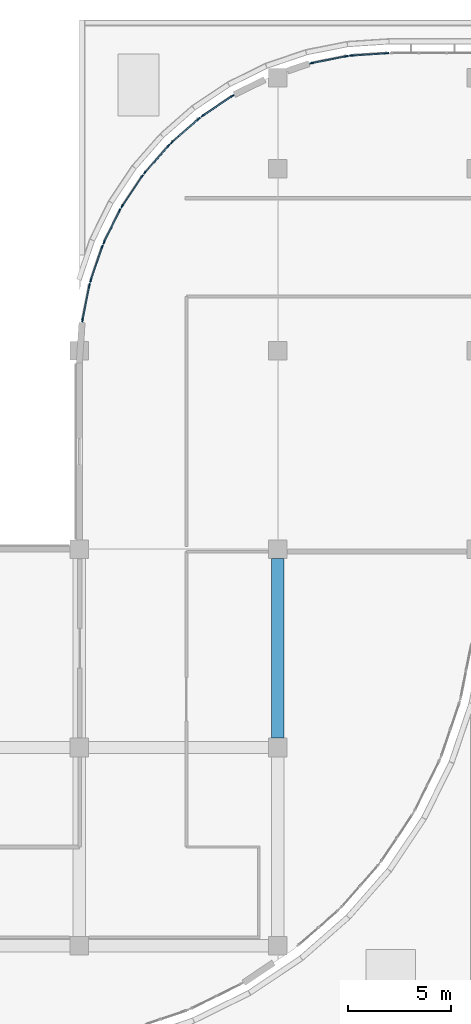
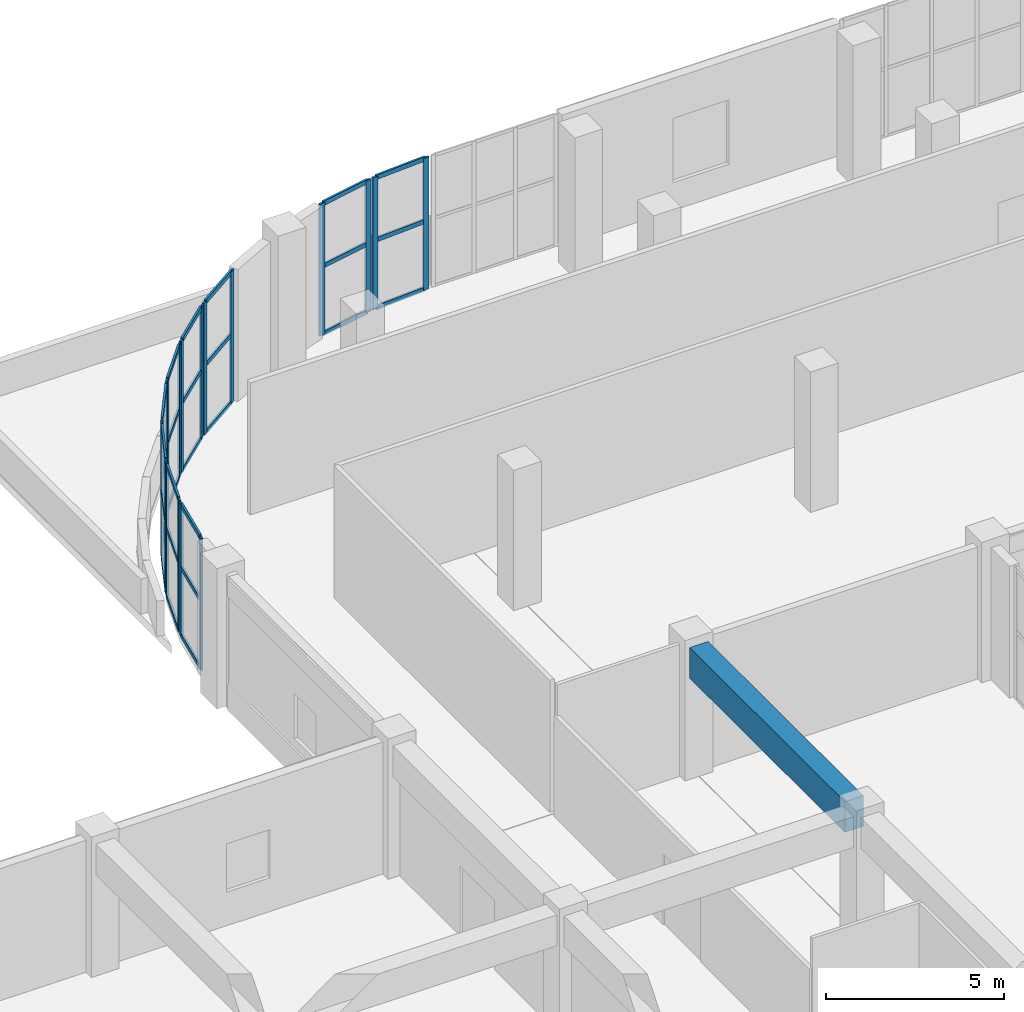
# One storey, part 27 of 96: 45 members, 1 beam, 9 elements without a shape of their own.
"""IFC4 building model written with IfcOpenShell, lengths in metres."""

from ifc_helpers import new_model, si_unit, direction, frame, origin, origin_2d, place, context, subcontext, project, spatial, rectangle, extrude, material, layer, layer_set, material_profile, profile_set, type_object, element, aggregate, save


model = new_model("IFC4")

# Units and contexts
model_context = context("Model", 3, precision=1e-05, world=origin(), true_north=direction((0.0, 1.0)))
body_context = subcontext(model_context, "Body", "Model", "MODEL_VIEW")
ifc_project = project(units=[si_unit("LENGTHUNIT", "METRE"), si_unit("AREAUNIT", "SQUARE_METRE"), si_unit("VOLUMEUNIT", "CUBIC_METRE"), si_unit("PLANEANGLEUNIT", "RADIAN"), si_unit("MASSUNIT", "GRAM", prefix="KILO")], contexts=[model_context])

# Site, building, storey
site_placement = place(None, origin())
site = spatial("IfcSite", under=ifc_project, at=site_placement, CompositionType="ELEMENT")
building_placement = place(site_placement, origin())
building = spatial("IfcBuilding", under=site, at=building_placement, Name="Cendralis Terraced Arcade", CompositionType="ELEMENT")
storey_placement = place(building_placement, frame((0.0, 0.0, 10.199951171875)))
storey = spatial("IfcBuildingStorey", under=building, at=storey_placement, Name="L02", CompositionType="ELEMENT", Elevation=10.199951171875)

# Beam
ifc_material_1 = material(Name="Concrete f'c 35 MPa", Category="concrete")
ifc_material_profile_1 = material_profile(ifc_material_1, rectangle(XDim=0.60009765625, YDim=1.050048828125, at=origin_2d()), Name="RC-BM-600x1050", Category="LoadBearing")
ifc_profile_set_1 = profile_set([ifc_material_profile_1], Name="Concrete f'c 35 MPa")
beam_type = type_object("IfcBeamType", Name="BM-600x1050", PredefinedType="JOIST", material=ifc_profile_set_1)
beam_placement = place(storey_placement, frame((57.60009765625, 79.64990234375, 3.989990234375), z_axis=(0.0, 1.0, 0.0), x_axis=(-1.0, 0.0, 0.0)))
element("IfcBeam", 1, at=beam_placement, inside=storey, type_object=beam_type, Name="Reinforced Concrete Frame Beam BM-Y-L03-7-J_K", PredefinedType="JOIST", context=body_context, shape_type="SweptSolid", body=[
    extrude(rectangle(XDim=0.60009765625, YDim=1.050048828125, at=origin_2d()), origin(), (0.0, 0.0, 1.0), 8.7001953125),
])

# Curtain wall, members
ifc_material_2 = material(Name="Anodised aluminium EN AW-6063 T6", Category="aluminium")
ifc_layer = layer(ifc_material_2, 0.179931640625, Name="CW-UNIT-A")
ifc_layer_set = layer_set([ifc_layer], Name="Anodised aluminium EN AW-6063 T6")
curtain_wall_type = type_object("IfcCurtainWallType", Name="CW-UNIT-A", PredefinedType="USERDEFINED", material=ifc_layer_set)
curtain_wall_1_placement = place(storey_placement, origin())
curtain_wall_1 = element("IfcCurtainWall", 2, at=curtain_wall_1_placement, inside=storey, type_object=curtain_wall_type, Name="Exterior Unitised Facade CW-L02-0143", ObjectType="UNITISED FACADE", PredefinedType="USERDEFINED")
ifc_material_profile_2 = material_profile(ifc_material_2, rectangle(XDim=0.06494140625, YDim=0.179931640625, at=origin_2d()), Name="ALU-MUL-65x180")
ifc_profile_set_2 = profile_set([ifc_material_profile_2], Name="Anodised aluminium EN AW-6063 T6")
member_type_1 = type_object("IfcMemberType", Name="CW-UNIT-A-MUL", PredefinedType="MULLION", material=ifc_profile_set_2)
member_1_placement = place(storey_placement, frame((48.15234375, 99.878173828125, 0.0), z_axis=(0.0, 0.0, 1.0), x_axis=(-0.980791618721, 0.195058454434, 0.0)))
member_1 = element("IfcMember", 3, at=member_1_placement, type_object=member_type_1, Name="CW-U1 mullion 1", PredefinedType="MULLION", context=body_context, shape_type="SweptSolid", body=[
    extrude(rectangle(XDim=0.06494140625, YDim=0.179931640625, at=origin_2d()), origin(), (0.0, 0.0, 1.0), 4.51513671875),
])
member_2_placement = place(storey_placement, frame((48.487060546875, 101.56201171875, 0.0), z_axis=(0.0, 0.0, 1.0), x_axis=(-0.980791618721, 0.195058454434, 0.0)))
member_2 = element("IfcMember", 4, at=member_2_placement, type_object=member_type_1, Name="CW-U1 mullion 2", PredefinedType="MULLION", context=body_context, shape_type="SweptSolid", body=[
    extrude(rectangle(XDim=0.06494140625, YDim=0.179931640625, at=origin_2d()), origin(), (0.0, 0.0, 1.0), 4.51513671875),
])

curtain_wall_2_placement = place(storey_placement, origin())
curtain_wall_2 = element("IfcCurtainWall", 5, at=curtain_wall_2_placement, inside=storey, type_object=curtain_wall_type, Name="Exterior Unitised Facade CW-L02-0144", ObjectType="UNITISED FACADE", PredefinedType="USERDEFINED")
member_3_placement = place(storey_placement, frame((48.550537109375, 101.79833984375, 0.0), z_axis=(0.0, 0.0, 1.0), x_axis=(-0.946923811316, 0.321458077458, 0.0)))
member_3 = element("IfcMember", 6, at=member_3_placement, type_object=member_type_1, Name="CW-U1 mullion 1", PredefinedType="MULLION", context=body_context, shape_type="SweptSolid", body=[
    extrude(rectangle(XDim=0.06494140625, YDim=0.179931640625, at=origin_2d()), origin(), (0.0, 0.0, 1.0), 4.51513671875),
])
member_4_placement = place(storey_placement, frame((49.1025390625, 103.42431640625, 0.0), z_axis=(0.0, 0.0, 1.0), x_axis=(-0.946923811316, 0.321458077458, 0.0)))
member_4 = element("IfcMember", 7, at=member_4_placement, type_object=member_type_1, Name="CW-U1 mullion 2", PredefinedType="MULLION", context=body_context, shape_type="SweptSolid", body=[
    extrude(rectangle(XDim=0.06494140625, YDim=0.179931640625, at=origin_2d()), origin(), (0.0, 0.0, 1.0), 4.51513671875),
])

curtain_wall_3_placement = place(storey_placement, origin())
curtain_wall_3 = element("IfcCurtainWall", 8, at=curtain_wall_3_placement, inside=storey, type_object=curtain_wall_type, Name="Exterior Unitised Facade CW-L02-0145", ObjectType="UNITISED FACADE", PredefinedType="USERDEFINED")
member_5_placement = place(storey_placement, frame((49.196044921875, 103.650146484375, 0.0), z_axis=(0.0, 0.0, 1.0), x_axis=(-0.896871480419, 0.442291247495, 0.0)))
member_5 = element("IfcMember", 9, at=member_5_placement, type_object=member_type_1, Name="CW-U1 mullion 1", PredefinedType="MULLION", context=body_context, shape_type="SweptSolid", body=[
    extrude(rectangle(XDim=0.06494140625, YDim=0.179931640625, at=origin_2d()), origin(), (0.0, 0.0, 1.0), 4.51513671875),
])
member_6_placement = place(storey_placement, frame((49.955322265625, 105.190185546875, 0.0), z_axis=(0.0, 0.0, 1.0), x_axis=(-0.896871480419, 0.442291247495, 0.0)))
member_6 = element("IfcMember", 10, at=member_6_placement, type_object=member_type_1, Name="CW-U1 mullion 2", PredefinedType="MULLION", context=body_context, shape_type="SweptSolid", body=[
    extrude(rectangle(XDim=0.06494140625, YDim=0.179931640625, at=origin_2d()), origin(), (0.0, 0.0, 1.0), 4.51513671875),
])

curtain_wall_4_placement = place(storey_placement, origin())
curtain_wall_4 = element("IfcCurtainWall", 11, at=curtain_wall_4_placement, inside=storey, type_object=curtain_wall_type, Name="Exterior Unitised Facade CW-L02-0146", ObjectType="UNITISED FACADE", PredefinedType="USERDEFINED")
member_7_placement = place(storey_placement, frame((50.07763671875, 105.40185546875, 0.0), z_axis=(0.0, 0.0, 1.0), x_axis=(-0.831471454125, 0.555567476528, 0.0)))
member_7 = element("IfcMember", 12, at=member_7_placement, type_object=member_type_1, Name="CW-U1 mullion 1", PredefinedType="MULLION", context=body_context, shape_type="SweptSolid", body=[
    extrude(rectangle(XDim=0.06494140625, YDim=0.179931640625, at=origin_2d()), origin(), (0.0, 0.0, 1.0), 4.51513671875),
])
member_8_placement = place(storey_placement, frame((51.03173828125, 106.82958984375, 0.0), z_axis=(0.0, 0.0, 1.0), x_axis=(-0.831471454125, 0.555567476528, 0.0)))
member_8 = element("IfcMember", 13, at=member_8_placement, type_object=member_type_1, Name="CW-U1 mullion 2", PredefinedType="MULLION", context=body_context, shape_type="SweptSolid", body=[
    extrude(rectangle(XDim=0.06494140625, YDim=0.179931640625, at=origin_2d()), origin(), (0.0, 0.0, 1.0), 4.51513671875),
])

curtain_wall_5_placement = place(storey_placement, origin())
curtain_wall_5 = element("IfcCurtainWall", 14, at=curtain_wall_5_placement, inside=storey, type_object=curtain_wall_type, Name="Exterior Unitised Facade CW-L02-0147", ObjectType="UNITISED FACADE", PredefinedType="USERDEFINED")
member_9_placement = place(storey_placement, frame((51.180419921875, 107.0234375, 0.0), z_axis=(0.0, 0.0, 1.0), x_axis=(-0.751804497477, 0.659386076266, 0.0)))
member_9 = element("IfcMember", 15, at=member_9_placement, type_object=member_type_1, Name="CW-U1 mullion 1", PredefinedType="MULLION", context=body_context, shape_type="SweptSolid", body=[
    extrude(rectangle(XDim=0.06494140625, YDim=0.179931640625, at=origin_2d()), origin(), (0.0, 0.0, 1.0), 4.51513671875),
])
member_10_placement = place(storey_placement, frame((52.312744140625, 108.314453125, 0.0), z_axis=(0.0, 0.0, 1.0), x_axis=(-0.751804497477, 0.659386076266, 0.0)))
member_10 = element("IfcMember", 16, at=member_10_placement, type_object=member_type_1, Name="CW-U1 mullion 2", PredefinedType="MULLION", context=body_context, shape_type="SweptSolid", body=[
    extrude(rectangle(XDim=0.06494140625, YDim=0.179931640625, at=origin_2d()), origin(), (0.0, 0.0, 1.0), 4.51513671875),
])

curtain_wall_6_placement = place(storey_placement, origin())
curtain_wall_6 = element("IfcCurtainWall", 17, at=curtain_wall_6_placement, inside=storey, type_object=curtain_wall_type, Name="Exterior Unitised Facade CW-L02-0148", ObjectType="UNITISED FACADE", PredefinedType="USERDEFINED")
member_11_placement = place(storey_placement, frame((52.485595703125, 108.4873046875, 0.0), z_axis=(0.0, 0.0, 1.0), x_axis=(-0.659386076266, 0.751804497477, 0.0)))
member_11 = element("IfcMember", 18, at=member_11_placement, type_object=member_type_1, Name="CW-U1 mullion 1", PredefinedType="MULLION", context=body_context, shape_type="SweptSolid", body=[
    extrude(rectangle(XDim=0.06494140625, YDim=0.179931640625, at=origin_2d()), origin(), (0.0, 0.0, 1.0), 4.51513671875),
])
member_12_placement = place(storey_placement, frame((53.7763671875, 109.61962890625, 0.0), z_axis=(0.0, 0.0, 1.0), x_axis=(-0.659386076266, 0.751804497477, 0.0)))
member_12 = element("IfcMember", 19, at=member_12_placement, type_object=member_type_1, Name="CW-U1 mullion 2", PredefinedType="MULLION", context=body_context, shape_type="SweptSolid", body=[
    extrude(rectangle(XDim=0.06494140625, YDim=0.179931640625, at=origin_2d()), origin(), (0.0, 0.0, 1.0), 4.51513671875),
])

curtain_wall_7_placement = place(storey_placement, origin())
curtain_wall_7 = element("IfcCurtainWall", 20, at=curtain_wall_7_placement, inside=storey, type_object=curtain_wall_type, Name="Exterior Unitised Facade CW-L02-0149", ObjectType="UNITISED FACADE", PredefinedType="USERDEFINED")
member_13_placement = place(storey_placement, frame((53.970458984375, 109.768310546875, 0.0), z_axis=(0.0, 0.0, 1.0), x_axis=(-0.555567476528, 0.831471454125, 0.0)))
member_13 = element("IfcMember", 21, at=member_13_placement, type_object=member_type_1, Name="CW-U1 mullion 1", PredefinedType="MULLION", context=body_context, shape_type="SweptSolid", body=[
    extrude(rectangle(XDim=0.06494140625, YDim=0.179931640625, at=origin_2d()), origin(), (0.0, 0.0, 1.0), 4.51513671875),
])
member_14_placement = place(storey_placement, frame((55.398193359375, 110.722412109375, 0.0), z_axis=(0.0, 0.0, 1.0), x_axis=(-0.555567476528, 0.831471454125, 0.0)))
member_14 = element("IfcMember", 22, at=member_14_placement, type_object=member_type_1, Name="CW-U1 mullion 2", PredefinedType="MULLION", context=body_context, shape_type="SweptSolid", body=[
    extrude(rectangle(XDim=0.06494140625, YDim=0.179931640625, at=origin_2d()), origin(), (0.0, 0.0, 1.0), 4.51513671875),
])

curtain_wall_8_placement = place(storey_placement, origin())
curtain_wall_8 = element("IfcCurtainWall", 23, at=curtain_wall_8_placement, inside=storey, type_object=curtain_wall_type, Name="Exterior Unitised Facade CW-L02-0150", ObjectType="UNITISED FACADE", PredefinedType="USERDEFINED")
member_15_placement = place(storey_placement, frame((59.23779296875, 112.312744140625, 0.0), z_axis=(0.0, 0.0, 1.0), x_axis=(-0.195058454434, 0.980791618721, 0.0)))
member_15 = element("IfcMember", 24, at=member_15_placement, type_object=member_type_1, Name="CW-U1 mullion 1", PredefinedType="MULLION", context=body_context, shape_type="SweptSolid", body=[
    extrude(rectangle(XDim=0.06494140625, YDim=0.179931640625, at=origin_2d()), origin(), (0.0, 0.0, 1.0), 4.51513671875),
])
member_16_placement = place(storey_placement, frame((60.921875, 112.647705078125, 0.0), z_axis=(0.0, 0.0, 1.0), x_axis=(-0.195058454434, 0.980791618721, 0.0)))
member_16 = element("IfcMember", 25, at=member_16_placement, type_object=member_type_1, Name="CW-U1 mullion 2", PredefinedType="MULLION", context=body_context, shape_type="SweptSolid", body=[
    extrude(rectangle(XDim=0.06494140625, YDim=0.179931640625, at=origin_2d()), origin(), (0.0, 0.0, 1.0), 4.51513671875),
])

curtain_wall_9_placement = place(storey_placement, origin())
curtain_wall_9 = element("IfcCurtainWall", 26, at=curtain_wall_9_placement, inside=storey, type_object=curtain_wall_type, Name="Exterior Unitised Facade CW-L02-0151", ObjectType="UNITISED FACADE", PredefinedType="USERDEFINED")
member_17_placement = place(storey_placement, frame((61.164306640625, 112.6796875, 0.0), z_axis=(0.0, 0.0, 1.0), x_axis=(-0.065371873798, 0.997860971336, 0.0)))
member_17 = element("IfcMember", 27, at=member_17_placement, type_object=member_type_1, Name="CW-U1 mullion 1", PredefinedType="MULLION", context=body_context, shape_type="SweptSolid", body=[
    extrude(rectangle(XDim=0.06494140625, YDim=0.179931640625, at=origin_2d()), origin(), (0.0, 0.0, 1.0), 4.51513671875),
])
member_18_placement = place(storey_placement, frame((62.877685546875, 112.7919921875, 0.0), z_axis=(0.0, 0.0, 1.0), x_axis=(-0.065371873798, 0.997860971336, 0.0)))
member_18 = element("IfcMember", 28, at=member_18_placement, type_object=member_type_1, Name="CW-U1 mullion 2", PredefinedType="MULLION", context=body_context, shape_type="SweptSolid", body=[
    extrude(rectangle(XDim=0.06494140625, YDim=0.179931640625, at=origin_2d()), origin(), (0.0, 0.0, 1.0), 4.51513671875),
])

# Member
ifc_material_profile_3 = material_profile(ifc_material_2, rectangle(XDim=0.06494140625, YDim=0.14990234375, at=origin_2d()), Name="ALU-TRN-65x150")
ifc_profile_set_3 = profile_set([ifc_material_profile_3], Name="Anodised aluminium EN AW-6063 T6")
member_type_2 = type_object("IfcMemberType", Name="CW-UNIT-A-TRN", PredefinedType="USERDEFINED", material=ifc_profile_set_3)
member_19_placement = place(storey_placement, frame((48.15869140625, 99.909912109375, 0.032470703125), z_axis=(0.194922378732, 0.980818671452, 0.0), x_axis=(-0.980818671452, 0.194922378732, 0.0)))
member_19 = element("IfcMember", 29, at=member_19_placement, type_object=member_type_2, Name="CW-U1 transom 1.1", ObjectType="TRANSOM", PredefinedType="USERDEFINED", context=body_context, shape_type="SweptSolid", body=[
    extrude(rectangle(XDim=0.06494140625, YDim=0.14990234375, at=origin_2d()), origin(), (0.0, 0.0, 1.0), 1.652099609375),
])

member_20_placement = place(storey_placement, frame((48.15869140625, 99.909912109375, 2.347900390625), z_axis=(0.194922378732, 0.980818671452, 0.0), x_axis=(-0.980818671452, 0.194922378732, 0.0)))
member_20 = element("IfcMember", 30, at=member_20_placement, type_object=member_type_2, Name="CW-U1 transom 1.2", ObjectType="TRANSOM", PredefinedType="USERDEFINED", context=body_context, shape_type="SweptSolid", body=[
    extrude(rectangle(XDim=0.06494140625, YDim=0.14990234375, at=origin_2d()), origin(), (0.0, 0.0, 1.0), 1.652099609375),
])

member_21_placement = place(storey_placement, frame((48.15869140625, 99.909912109375, 4.482666015625), z_axis=(0.194922378732, 0.980818671452, 0.0), x_axis=(-0.980818671452, 0.194922378732, 0.0)))
member_21 = element("IfcMember", 31, at=member_21_placement, type_object=member_type_2, Name="CW-U1 transom 1.3", ObjectType="TRANSOM", PredefinedType="USERDEFINED", context=body_context, shape_type="SweptSolid", body=[
    extrude(rectangle(XDim=0.06494140625, YDim=0.14990234375, at=origin_2d()), origin(), (0.0, 0.0, 1.0), 1.652099609375),
])

aggregate(curtain_wall_1, [member_1, member_2, member_19, member_20, member_21])

member_22_placement = place(storey_placement, frame((48.560791015625, 101.8291015625, 0.032470703125), z_axis=(0.321542430228, 0.94689517137, 0.0), x_axis=(-0.94689517137, 0.321542430228, 0.0)))
member_22 = element("IfcMember", 32, at=member_22_placement, type_object=member_type_2, Name="CW-U1 transom 1.1", ObjectType="TRANSOM", PredefinedType="USERDEFINED", context=body_context, shape_type="SweptSolid", body=[
    extrude(rectangle(XDim=0.06494140625, YDim=0.14990234375, at=origin_2d()), origin(), (0.0, 0.0, 1.0), 1.652099609375),
])

member_23_placement = place(storey_placement, frame((48.560791015625, 101.8291015625, 2.347900390625), z_axis=(0.321542430228, 0.94689517137, 0.0), x_axis=(-0.94689517137, 0.321542430228, 0.0)))
member_23 = element("IfcMember", 33, at=member_23_placement, type_object=member_type_2, Name="CW-U1 transom 1.2", ObjectType="TRANSOM", PredefinedType="USERDEFINED", context=body_context, shape_type="SweptSolid", body=[
    extrude(rectangle(XDim=0.06494140625, YDim=0.14990234375, at=origin_2d()), origin(), (0.0, 0.0, 1.0), 1.652099609375),
])

member_24_placement = place(storey_placement, frame((48.560791015625, 101.8291015625, 4.482666015625), z_axis=(0.321542430228, 0.94689517137, 0.0), x_axis=(-0.94689517137, 0.321542430228, 0.0)))
member_24 = element("IfcMember", 34, at=member_24_placement, type_object=member_type_2, Name="CW-U1 transom 1.3", ObjectType="TRANSOM", PredefinedType="USERDEFINED", context=body_context, shape_type="SweptSolid", body=[
    extrude(rectangle(XDim=0.06494140625, YDim=0.14990234375, at=origin_2d()), origin(), (0.0, 0.0, 1.0), 1.652099609375),
])

aggregate(curtain_wall_2, [member_3, member_4, member_22, member_23, member_24])

member_25_placement = place(storey_placement, frame((49.21044921875, 103.67919921875, 0.032470703125), z_axis=(0.442300625853, 0.896866855431, 0.0), x_axis=(-0.896866855431, 0.442300625853, 0.0)))
member_25 = element("IfcMember", 35, at=member_25_placement, type_object=member_type_2, Name="CW-U1 transom 1.1", ObjectType="TRANSOM", PredefinedType="USERDEFINED", context=body_context, shape_type="SweptSolid", body=[
    extrude(rectangle(XDim=0.06494140625, YDim=0.14990234375, at=origin_2d()), origin(), (0.0, 0.0, 1.0), 1.652099609375),
])

member_26_placement = place(storey_placement, frame((49.21044921875, 103.67919921875, 2.347900390625), z_axis=(0.442300625853, 0.896866855431, 0.0), x_axis=(-0.896866855431, 0.442300625853, 0.0)))
member_26 = element("IfcMember", 36, at=member_26_placement, type_object=member_type_2, Name="CW-U1 transom 1.2", ObjectType="TRANSOM", PredefinedType="USERDEFINED", context=body_context, shape_type="SweptSolid", body=[
    extrude(rectangle(XDim=0.06494140625, YDim=0.14990234375, at=origin_2d()), origin(), (0.0, 0.0, 1.0), 1.652099609375),
])

member_27_placement = place(storey_placement, frame((49.21044921875, 103.67919921875, 4.482666015625), z_axis=(0.442300625853, 0.896866855431, 0.0), x_axis=(-0.896866855431, 0.442300625853, 0.0)))
member_27 = element("IfcMember", 37, at=member_27_placement, type_object=member_type_2, Name="CW-U1 transom 1.3", ObjectType="TRANSOM", PredefinedType="USERDEFINED", context=body_context, shape_type="SweptSolid", body=[
    extrude(rectangle(XDim=0.06494140625, YDim=0.14990234375, at=origin_2d()), origin(), (0.0, 0.0, 1.0), 1.652099609375),
])

aggregate(curtain_wall_3, [member_5, member_6, member_25, member_26, member_27])

member_28_placement = place(storey_placement, frame((50.095703125, 105.428955078125, 0.032470703125), z_axis=(0.555654720391, 0.831413153436, 0.0), x_axis=(-0.831413153436, 0.555654720391, 0.0)))
member_28 = element("IfcMember", 38, at=member_28_placement, type_object=member_type_2, Name="CW-U1 transom 1.1", ObjectType="TRANSOM", PredefinedType="USERDEFINED", context=body_context, shape_type="SweptSolid", body=[
    extrude(rectangle(XDim=0.06494140625, YDim=0.14990234375, at=origin_2d()), origin(), (0.0, 0.0, 1.0), 1.652099609375),
])

member_29_placement = place(storey_placement, frame((50.095703125, 105.428955078125, 2.347900390625), z_axis=(0.555654720391, 0.831413153436, 0.0), x_axis=(-0.831413153436, 0.555654720391, 0.0)))
member_29 = element("IfcMember", 39, at=member_29_placement, type_object=member_type_2, Name="CW-U1 transom 1.2", ObjectType="TRANSOM", PredefinedType="USERDEFINED", context=body_context, shape_type="SweptSolid", body=[
    extrude(rectangle(XDim=0.06494140625, YDim=0.14990234375, at=origin_2d()), origin(), (0.0, 0.0, 1.0), 1.652099609375),
])

member_30_placement = place(storey_placement, frame((50.095703125, 105.428955078125, 4.482666015625), z_axis=(0.555654720391, 0.831413153436, 0.0), x_axis=(-0.831413153436, 0.555654720391, 0.0)))
member_30 = element("IfcMember", 40, at=member_30_placement, type_object=member_type_2, Name="CW-U1 transom 1.3", ObjectType="TRANSOM", PredefinedType="USERDEFINED", context=body_context, shape_type="SweptSolid", body=[
    extrude(rectangle(XDim=0.06494140625, YDim=0.14990234375, at=origin_2d()), origin(), (0.0, 0.0, 1.0), 1.652099609375),
])

aggregate(curtain_wall_4, [member_7, member_8, member_28, member_29, member_30])

member_31_placement = place(storey_placement, frame((51.201904296875, 107.0478515625, 0.032470703125), z_axis=(0.659341117172, 0.751843927425, 0.0), x_axis=(-0.751843927425, 0.659341117172, 0.0)))
member_31 = element("IfcMember", 41, at=member_31_placement, type_object=member_type_2, Name="CW-U1 transom 1.1", ObjectType="TRANSOM", PredefinedType="USERDEFINED", context=body_context, shape_type="SweptSolid", body=[
    extrude(rectangle(XDim=0.06494140625, YDim=0.14990234375, at=origin_2d()), origin(), (0.0, 0.0, 1.0), 1.652099609375),
])

member_32_placement = place(storey_placement, frame((51.201904296875, 107.0478515625, 2.347900390625), z_axis=(0.659341117172, 0.751843927425, 0.0), x_axis=(-0.751843927425, 0.659341117172, 0.0)))
member_32 = element("IfcMember", 42, at=member_32_placement, type_object=member_type_2, Name="CW-U1 transom 1.2", ObjectType="TRANSOM", PredefinedType="USERDEFINED", context=body_context, shape_type="SweptSolid", body=[
    extrude(rectangle(XDim=0.06494140625, YDim=0.14990234375, at=origin_2d()), origin(), (0.0, 0.0, 1.0), 1.652099609375),
])

member_33_placement = place(storey_placement, frame((51.201904296875, 107.0478515625, 4.482666015625), z_axis=(0.659341117172, 0.751843927425, 0.0), x_axis=(-0.751843927425, 0.659341117172, 0.0)))
member_33 = element("IfcMember", 43, at=member_33_placement, type_object=member_type_2, Name="CW-U1 transom 1.3", ObjectType="TRANSOM", PredefinedType="USERDEFINED", context=body_context, shape_type="SweptSolid", body=[
    extrude(rectangle(XDim=0.06494140625, YDim=0.14990234375, at=origin_2d()), origin(), (0.0, 0.0, 1.0), 1.652099609375),
])

aggregate(curtain_wall_5, [member_9, member_10, member_31, member_32, member_33])

member_34_placement = place(storey_placement, frame((52.510009765625, 108.5087890625, 0.032470703125), z_axis=(0.751779677402, 0.659414374006, 0.0), x_axis=(-0.659414374006, 0.751779677402, 0.0)))
member_34 = element("IfcMember", 44, at=member_34_placement, type_object=member_type_2, Name="CW-U1 transom 1.1", ObjectType="TRANSOM", PredefinedType="USERDEFINED", context=body_context, shape_type="SweptSolid", body=[
    extrude(rectangle(XDim=0.06494140625, YDim=0.14990234375, at=origin_2d()), origin(), (0.0, 0.0, 1.0), 1.652099609375),
])

member_35_placement = place(storey_placement, frame((52.510009765625, 108.5087890625, 2.347900390625), z_axis=(0.751779677402, 0.659414374006, 0.0), x_axis=(-0.659414374006, 0.751779677402, 0.0)))
member_35 = element("IfcMember", 45, at=member_35_placement, type_object=member_type_2, Name="CW-U1 transom 1.2", ObjectType="TRANSOM", PredefinedType="USERDEFINED", context=body_context, shape_type="SweptSolid", body=[
    extrude(rectangle(XDim=0.06494140625, YDim=0.14990234375, at=origin_2d()), origin(), (0.0, 0.0, 1.0), 1.652099609375),
])

member_36_placement = place(storey_placement, frame((52.510009765625, 108.5087890625, 4.482666015625), z_axis=(0.751779677402, 0.659414374006, 0.0), x_axis=(-0.659414374006, 0.751779677402, 0.0)))
member_36 = element("IfcMember", 46, at=member_36_placement, type_object=member_type_2, Name="CW-U1 transom 1.3", ObjectType="TRANSOM", PredefinedType="USERDEFINED", context=body_context, shape_type="SweptSolid", body=[
    extrude(rectangle(XDim=0.06494140625, YDim=0.14990234375, at=origin_2d()), origin(), (0.0, 0.0, 1.0), 1.652099609375),
])

aggregate(curtain_wall_6, [member_11, member_12, member_34, member_35, member_36])

member_37_placement = place(storey_placement, frame((53.99755859375, 109.786376953125, 0.032470703125), z_axis=(0.831413153436, 0.555654720391, 0.0), x_axis=(-0.555654720391, 0.831413153436, 0.0)))
member_37 = element("IfcMember", 47, at=member_37_placement, type_object=member_type_2, Name="CW-U1 transom 1.1", ObjectType="TRANSOM", PredefinedType="USERDEFINED", context=body_context, shape_type="SweptSolid", body=[
    extrude(rectangle(XDim=0.06494140625, YDim=0.14990234375, at=origin_2d()), origin(), (0.0, 0.0, 1.0), 1.652099609375),
])

member_38_placement = place(storey_placement, frame((53.99755859375, 109.786376953125, 2.347900390625), z_axis=(0.831413153436, 0.555654720391, 0.0), x_axis=(-0.555654720391, 0.831413153436, 0.0)))
member_38 = element("IfcMember", 48, at=member_38_placement, type_object=member_type_2, Name="CW-U1 transom 1.2", ObjectType="TRANSOM", PredefinedType="USERDEFINED", context=body_context, shape_type="SweptSolid", body=[
    extrude(rectangle(XDim=0.06494140625, YDim=0.14990234375, at=origin_2d()), origin(), (0.0, 0.0, 1.0), 1.652099609375),
])

member_39_placement = place(storey_placement, frame((53.99755859375, 109.786376953125, 4.482666015625), z_axis=(0.831413153436, 0.555654720391, 0.0), x_axis=(-0.555654720391, 0.831413153436, 0.0)))
member_39 = element("IfcMember", 49, at=member_39_placement, type_object=member_type_2, Name="CW-U1 transom 1.3", ObjectType="TRANSOM", PredefinedType="USERDEFINED", context=body_context, shape_type="SweptSolid", body=[
    extrude(rectangle(XDim=0.06494140625, YDim=0.14990234375, at=origin_2d()), origin(), (0.0, 0.0, 1.0), 1.652099609375),
])

aggregate(curtain_wall_7, [member_13, member_14, member_37, member_38, member_39])

member_40_placement = place(storey_placement, frame((59.269775390625, 112.319091796875, 0.032470703125), z_axis=(0.980790408784, 0.195064538134, 0.0), x_axis=(-0.195064538134, 0.980790408784, 0.0)))
member_40 = element("IfcMember", 50, at=member_40_placement, type_object=member_type_2, Name="CW-U1 transom 1.1", ObjectType="TRANSOM", PredefinedType="USERDEFINED", context=body_context, shape_type="SweptSolid", body=[
    extrude(rectangle(XDim=0.06494140625, YDim=0.14990234375, at=origin_2d()), origin(), (0.0, 0.0, 1.0), 1.652099609375),
])

member_41_placement = place(storey_placement, frame((59.269775390625, 112.319091796875, 2.347900390625), z_axis=(0.980790408784, 0.195064538134, 0.0), x_axis=(-0.195064538134, 0.980790408784, 0.0)))
member_41 = element("IfcMember", 51, at=member_41_placement, type_object=member_type_2, Name="CW-U1 transom 1.2", ObjectType="TRANSOM", PredefinedType="USERDEFINED", context=body_context, shape_type="SweptSolid", body=[
    extrude(rectangle(XDim=0.06494140625, YDim=0.14990234375, at=origin_2d()), origin(), (0.0, 0.0, 1.0), 1.652099609375),
])

member_42_placement = place(storey_placement, frame((59.269775390625, 112.319091796875, 4.482666015625), z_axis=(0.980790408784, 0.195064538134, 0.0), x_axis=(-0.195064538134, 0.980790408784, 0.0)))
member_42 = element("IfcMember", 52, at=member_42_placement, type_object=member_type_2, Name="CW-U1 transom 1.3", ObjectType="TRANSOM", PredefinedType="USERDEFINED", context=body_context, shape_type="SweptSolid", body=[
    extrude(rectangle(XDim=0.06494140625, YDim=0.14990234375, at=origin_2d()), origin(), (0.0, 0.0, 1.0), 1.652099609375),
])

aggregate(curtain_wall_8, [member_15, member_16, member_40, member_41, member_42])

member_43_placement = place(storey_placement, frame((61.19677734375, 112.681884765625, 0.032470703125), z_axis=(0.997864850039, 0.065312640858, 0.0), x_axis=(-0.065312640858, 0.997864850039, 0.0)))
member_43 = element("IfcMember", 53, at=member_43_placement, type_object=member_type_2, Name="CW-U1 transom 1.1", ObjectType="TRANSOM", PredefinedType="USERDEFINED", context=body_context, shape_type="SweptSolid", body=[
    extrude(rectangle(XDim=0.06494140625, YDim=0.14990234375, at=origin_2d()), origin(), (0.0, 0.0, 1.0), 1.652099609375),
])

member_44_placement = place(storey_placement, frame((61.19677734375, 112.681884765625, 2.347900390625), z_axis=(0.997864850039, 0.065312640858, 0.0), x_axis=(-0.065312640858, 0.997864850039, 0.0)))
member_44 = element("IfcMember", 54, at=member_44_placement, type_object=member_type_2, Name="CW-U1 transom 1.2", ObjectType="TRANSOM", PredefinedType="USERDEFINED", context=body_context, shape_type="SweptSolid", body=[
    extrude(rectangle(XDim=0.06494140625, YDim=0.14990234375, at=origin_2d()), origin(), (0.0, 0.0, 1.0), 1.652099609375),
])

member_45_placement = place(storey_placement, frame((61.19677734375, 112.681884765625, 4.482666015625), z_axis=(0.997864850039, 0.065312640858, 0.0), x_axis=(-0.065312640858, 0.997864850039, 0.0)))
member_45 = element("IfcMember", 55, at=member_45_placement, type_object=member_type_2, Name="CW-U1 transom 1.3", ObjectType="TRANSOM", PredefinedType="USERDEFINED", context=body_context, shape_type="SweptSolid", body=[
    extrude(rectangle(XDim=0.06494140625, YDim=0.14990234375, at=origin_2d()), origin(), (0.0, 0.0, 1.0), 1.652099609375),
])

aggregate(curtain_wall_9, [member_17, member_18, member_43, member_44, member_45])

save(model, "model.ifc")
